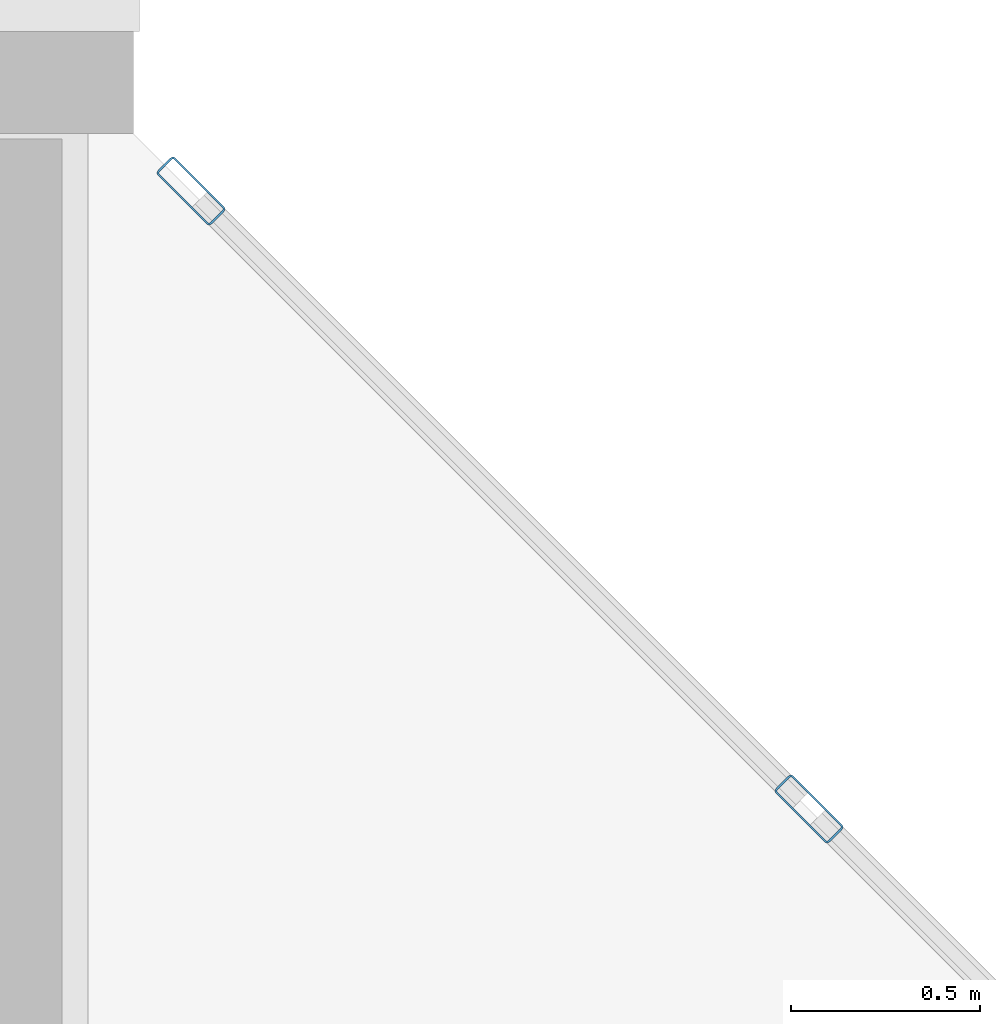
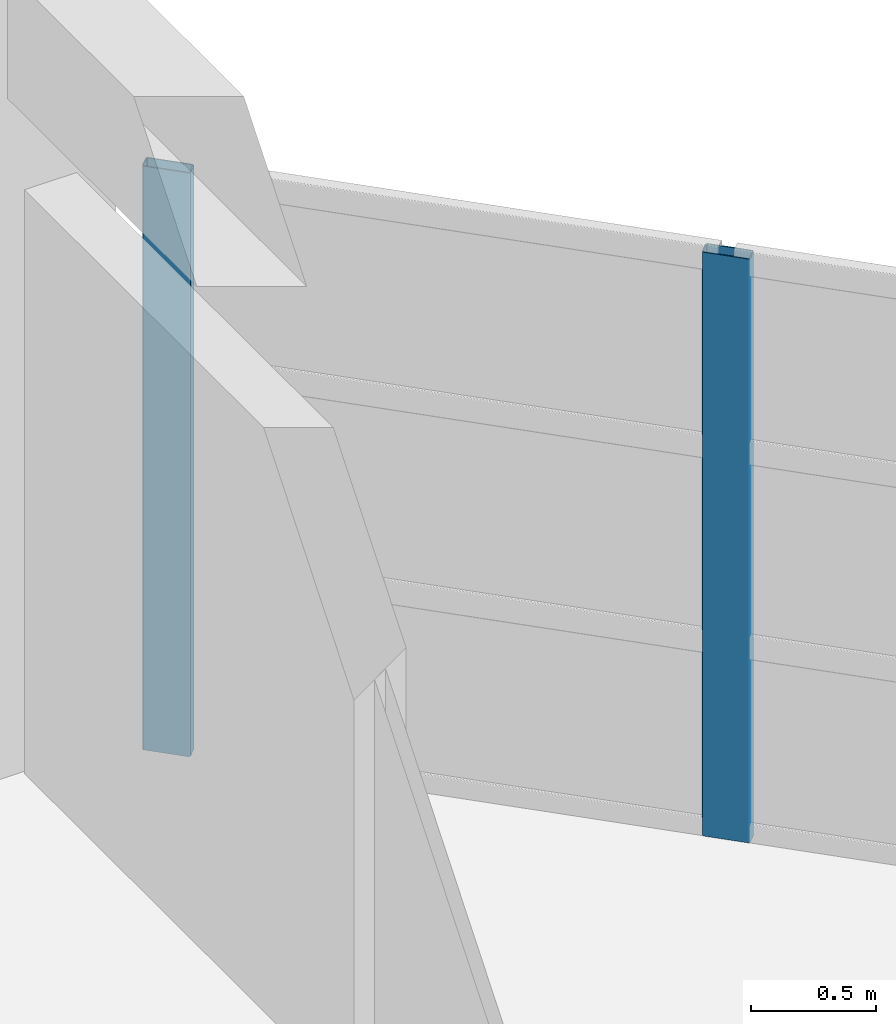
# One storey, part 70 of 132: 2 members, 1 element without a shape of its own.
"""IFC4 building model written with IfcOpenShell, lengths in metres."""

from ifc_helpers import new_model, si_unit, direction, frame, origin, origin_2d, place, context, subcontext, project, spatial, hollow_rectangle, extrude, material, material_profile, profile_set, type_object, element, aggregate, save


model = new_model("IFC4")

# Units and contexts
model_context = context("Model", 3, precision=1e-05, world=origin(), true_north=direction((0.0, 1.0)))
body_context = subcontext(model_context, "Body", "Model", "MODEL_VIEW")
ifc_project = project(units=[si_unit("LENGTHUNIT", "METRE"), si_unit("AREAUNIT", "SQUARE_METRE"), si_unit("VOLUMEUNIT", "CUBIC_METRE"), si_unit("PLANEANGLEUNIT", "RADIAN"), si_unit("MASSUNIT", "GRAM", prefix="KILO")], contexts=[model_context])

# Site, building, storey
site_placement = place(None, origin())
site = spatial("IfcSite", under=ifc_project, at=site_placement, CompositionType="ELEMENT")
building_placement = place(site_placement, origin())
building = spatial("IfcBuilding", under=site, at=building_placement, Name="Qasida Concert Hall", CompositionType="ELEMENT")
storey_placement = place(building_placement, frame((0.0, 0.0, 4.800048828125)))
storey = spatial("IfcBuildingStorey", under=building, at=storey_placement, Name="L01", CompositionType="ELEMENT", Elevation=4.800048828125)

# Curtain wall, members
ifc_material_1 = material(Name="Architectural bronze-anodized aluminium and low-E glass", Category="aluminium")
curtain_wall_type = type_object("IfcCurtainWallType", Name="CW-07", PredefinedType="NOTDEFINED", material=ifc_material_1)
curtain_wall_placement = place(storey_placement, origin())
curtain_wall = element("IfcCurtainWall", 1, at=curtain_wall_placement, inside=storey, type_object=curtain_wall_type, Name="L01 curtain wall CW-07 0144", PredefinedType="NOTDEFINED")
ifc_material_2 = material(Name="Architectural bronze-anodized aluminium EN AW-6063", Category="aluminium")
ifc_material_profile = material_profile(ifc_material_2, hollow_rectangle(XDim=0.06494140625, YDim=0.199951171875, WallThickness=0.0048828125, InnerFilletRadius=0.0048828125, OuterFilletRadius=0.010009765625, at=origin_2d()), Name="CWM 200x65x5")
ifc_profile_set = profile_set([ifc_material_profile], Name="Architectural bronze-anodized aluminium EN AW-6063")
member_type = type_object("IfcMemberType", Name="MB-CWM-2", PredefinedType="MULLION", material=ifc_profile_set)
member_1_placement = place(storey_placement, frame((159.59423828125, 27.90576171875, 0.0), z_axis=(0.0, 0.0, 1.0), x_axis=(-0.707106781187, -0.707106781187, 0.0)))
member_1 = element("IfcMember", 2, at=member_1_placement, type_object=member_type, Name="CW-07 mullion 4", PredefinedType="MULLION", context=body_context, shape_type="SweptSolid", body=[
    extrude(hollow_rectangle(XDim=0.06494140625, YDim=0.199951171875, WallThickness=0.0048828125, InnerFilletRadius=0.0048828125, OuterFilletRadius=0.010009765625, at=origin_2d()), origin(), (0.0, 0.0, 1.0), 2.83984375),
])
member_2_placement = place(storey_placement, frame((157.96142578125, 29.53857421875, 0.0), z_axis=(0.0, 0.0, 1.0), x_axis=(-0.707106781187, -0.707106781187, 0.0)))
member_2 = element("IfcMember", 3, at=member_2_placement, type_object=member_type, Name="CW-07 mullion 5", PredefinedType="MULLION", context=body_context, shape_type="SweptSolid", body=[
    extrude(hollow_rectangle(XDim=0.06494140625, YDim=0.199951171875, WallThickness=0.0048828125, InnerFilletRadius=0.0048828125, OuterFilletRadius=0.010009765625, at=origin_2d()), origin(), (0.0, 0.0, 1.0), 2.83984375),
])
aggregate(curtain_wall, [member_1, member_2])

save(model, "model.ifc")
